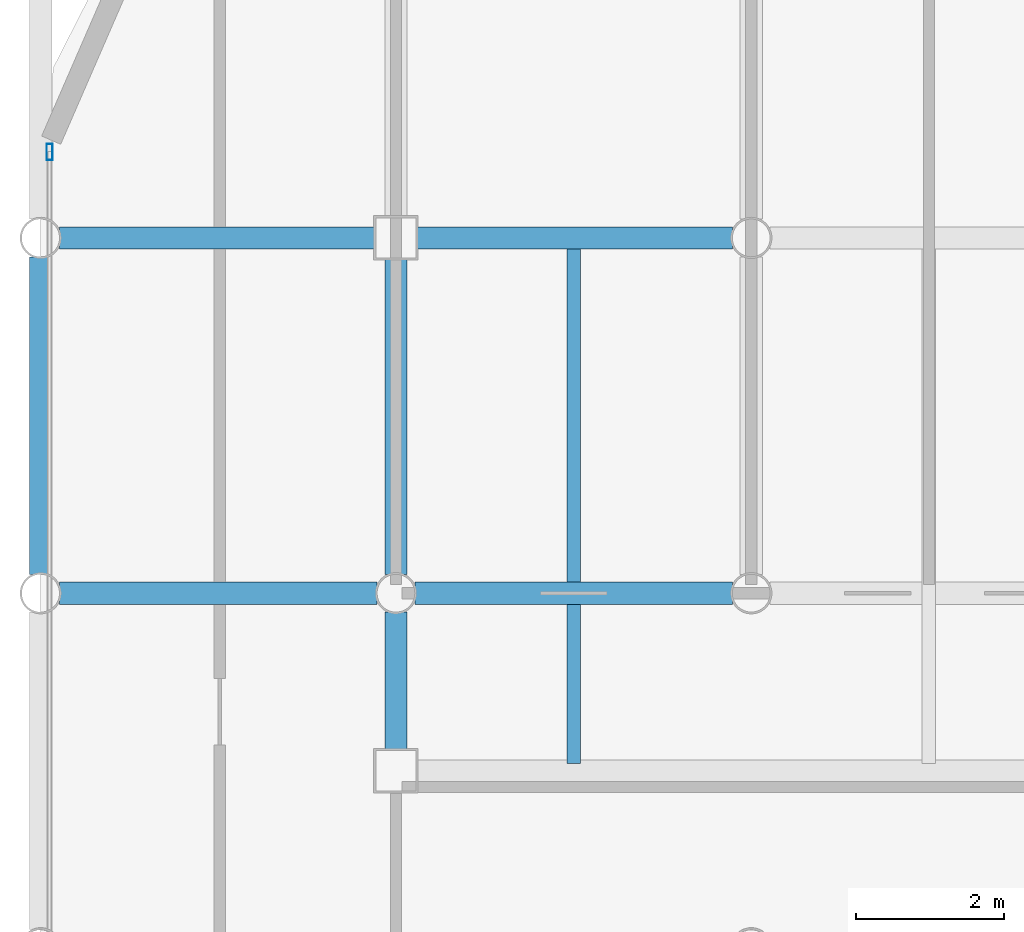
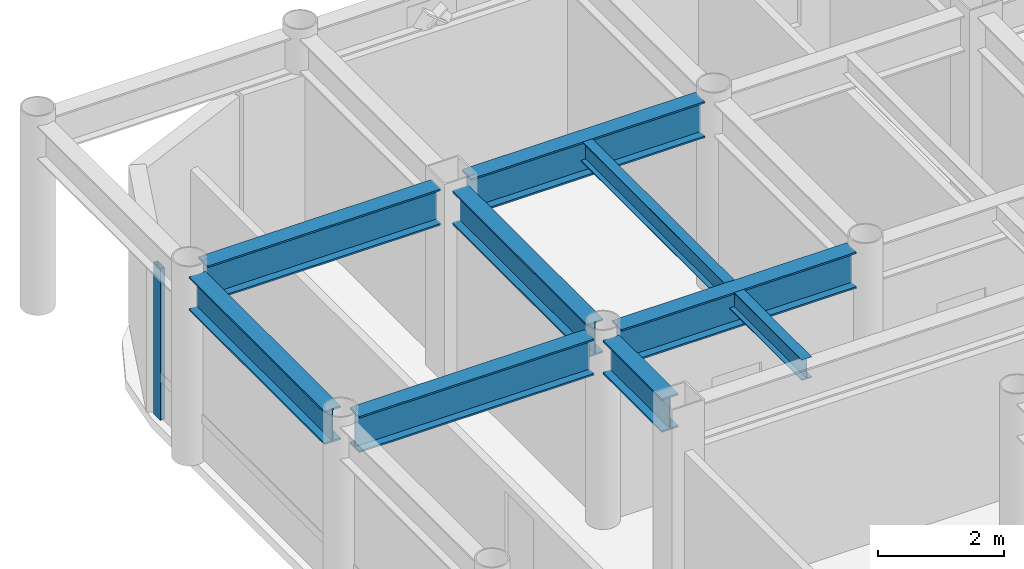
# One storey, part 11 of 21: 8 beams, 1 member, 1 element without a shape of its own.
"""IFC4 building model written with IfcOpenShell, lengths in metres."""

from ifc_helpers import new_model, si_unit, direction, frame, origin, origin_2d, place, context, subcontext, project, spatial, hollow_rectangle, i_section, extrude, material, layer, layer_set, material_profile, profile_set, type_object, element, aggregate, save


model = new_model("IFC4")

# Units and contexts
model_context = context("Model", 3, precision=1e-05, world=origin(), true_north=direction((0.0, 1.0)))
body_context = subcontext(model_context, "Body", "Model", "MODEL_VIEW")
ifc_project = project(units=[si_unit("LENGTHUNIT", "METRE"), si_unit("AREAUNIT", "SQUARE_METRE"), si_unit("VOLUMEUNIT", "CUBIC_METRE"), si_unit("PLANEANGLEUNIT", "RADIAN"), si_unit("MASSUNIT", "GRAM", prefix="KILO")], contexts=[model_context])

# Site, building, storey
site_placement = place(None, origin())
site = spatial("IfcSite", under=ifc_project, at=site_placement, CompositionType="ELEMENT")
building_placement = place(site_placement, origin())
building = spatial("IfcBuilding", under=site, at=building_placement, Name="Kallvorn Hotel Tower", CompositionType="ELEMENT")
storey_placement = place(building_placement, frame((0.0, 0.0, 210.75)))
storey = spatial("IfcBuildingStorey", under=building, at=storey_placement, Name="L52", CompositionType="ELEMENT", Elevation=210.75)

# Beams
ifc_material_1 = material(Name="Structural steel S355JR", Category="steel")
ifc_material_profile_1 = material_profile(ifc_material_1, i_section(OverallWidth=0.300048828125, OverallDepth=0.64990234375, WebThickness=0.01611328125, FlangeThickness=0.031005859375, at=origin_2d()), Name="HE 650 B")
ifc_profile_set_1 = profile_set([ifc_material_profile_1], Name="Structural steel S355JR")
beam_type_1 = type_object("IfcBeamType", Name="BM_HE650B", PredefinedType="BEAM", material=ifc_profile_set_1)
beam_1_placement = place(storey_placement, frame((-28.800048828125, 9.8544921875, 3.344970703125), z_axis=(0.0, 1.0, 0.0), x_axis=(-1.0, 0.0, 0.0)))
element("IfcBeam", 1, at=beam_1_placement, inside=storey, type_object=beam_type_1, Name="L53 Primary Y-Girder 79", PredefinedType="BEAM", context=body_context, shape_type="SweptSolid", body=[
    extrude(i_section(OverallWidth=0.300048828125, OverallDepth=0.64990234375, WebThickness=0.01611328125, FlangeThickness=0.031005859375, at=origin_2d()), origin(), (0.0, 0.0, 1.0), 4.291015625),
])
beam_2_placement = place(storey_placement, frame((-24.0, 7.47509765625, 3.344970703125), z_axis=(0.0, 1.0, 0.0), x_axis=(-1.0, 0.0, 0.0)))
element("IfcBeam", 2, at=beam_2_placement, inside=storey, type_object=beam_type_1, Name="L53 Primary Y-Girder 85", PredefinedType="BEAM", context=body_context, shape_type="SweptSolid", body=[
    extrude(i_section(OverallWidth=0.300048828125, OverallDepth=0.64990234375, WebThickness=0.01611328125, FlangeThickness=0.031005859375, at=origin_2d()), origin(), (0.0, 0.0, 1.0), 1.870361328125),
])
beam_3_placement = place(storey_placement, frame((-24.0, 9.8544921875, 3.344970703125), z_axis=(0.0, 1.0, 0.0), x_axis=(-1.0, 0.0, 0.0)))
element("IfcBeam", 3, at=beam_3_placement, inside=storey, type_object=beam_type_1, Name="L53 Primary Y-Girder 86", PredefinedType="BEAM", context=body_context, shape_type="SweptSolid", body=[
    extrude(i_section(OverallWidth=0.300048828125, OverallDepth=0.64990234375, WebThickness=0.01611328125, FlangeThickness=0.031005859375, at=origin_2d()), origin(), (0.0, 0.0, 1.0), 4.2705078125),
])
ifc_material_2 = material(Name="Structural steel S355JR", Category="steel")
ifc_material_profile_2 = material_profile(ifc_material_2, i_section(OverallWidth=0.300048828125, OverallDepth=0.699951171875, WebThickness=0.01708984375, FlangeThickness=0.031982421875, at=origin_2d()), Name="HE 700 B")
ifc_profile_set_2 = profile_set([ifc_material_profile_2], Name="Structural steel S355JR")
beam_type_2 = type_object("IfcBeamType", Name="BM_HE700B", PredefinedType="BEAM", material=ifc_profile_set_2)
for number, where, z_axis, x_axis, name in (
    (4, (-28.54541015625, 9.60009765625, 3.320068359375), (1.0, 0.0, 0.0), (0.0, 1.0, 0.0), "L53 Primary X-Girder 42"),
    (5, (-23.74560546875, 9.60009765625, 3.320068359375), (1.0, 0.0, 0.0), (0.0, 1.0, 0.0), "L53 Primary X-Girder 43"),
):
    element("IfcBeam", number, at=place(storey_placement, frame(where, z_axis=z_axis, x_axis=x_axis)), inside=storey, type_object=beam_type_2, Name=name, PredefinedType="BEAM", context=body_context, shape_type="SweptSolid", body=[
        extrude(i_section(OverallWidth=0.300048828125, OverallDepth=0.699951171875, WebThickness=0.01708984375, FlangeThickness=0.031982421875, at=origin_2d()), origin(), (0.0, 0.0, 1.0), 4.291015625),
    ])
for number, where, z_axis, x_axis, name in (
    (6, (-28.54541015625, 14.39990234375, 3.320068359375), (1.0, 0.0, 0.0), (0.0, 1.0, 0.0), "L53 Primary X-Girder 51"),
    (7, (-23.72509765625, 14.39990234375, 3.320068359375), (1.0, 0.0, 0.0), (0.0, 1.0, 0.0), "L53 Primary X-Girder 52"),
):
    element("IfcBeam", number, at=place(storey_placement, frame(where, z_axis=z_axis, x_axis=x_axis)), inside=storey, type_object=beam_type_2, Name=name, PredefinedType="BEAM", context=body_context, shape_type="SweptSolid", body=[
        extrude(i_section(OverallWidth=0.300048828125, OverallDepth=0.699951171875, WebThickness=0.01708984375, FlangeThickness=0.031982421875, at=origin_2d()), origin(), (0.0, 0.0, 1.0), 4.2705078125),
    ])
ifc_material_3 = material(Name="Structural steel S355JR", Category="steel")
ifc_material_profile_3 = material_profile(ifc_material_3, i_section(OverallWidth=0.179931640625, OverallDepth=0.39990234375, WebThickness=0.008544921875, FlangeThickness=0.013427734375, at=origin_2d()), Name="IPE 400")
ifc_profile_set_3 = profile_set([ifc_material_profile_3], Name="Structural steel S355JR")
beam_type_3 = type_object("IfcBeamType", Name="BM_IPE400", PredefinedType="JOIST", material=ifc_profile_set_3)
beam_4_placement = place(storey_placement, frame((-21.60009765625, 7.300048828125, 3.469970703125), z_axis=(0.0, 1.0, 0.0), x_axis=(-1.0, 0.0, 0.0)))
element("IfcBeam", 8, at=beam_4_placement, inside=storey, type_object=beam_type_3, Name="L53 Secondary Composite Joist 193", PredefinedType="JOIST", context=body_context, shape_type="SweptSolid", body=[
    extrude(i_section(OverallWidth=0.179931640625, OverallDepth=0.39990234375, WebThickness=0.008544921875, FlangeThickness=0.013427734375, at=origin_2d()), origin(), (0.0, 0.0, 1.0), 7.0),
])

# Curtain wall, member
ifc_material_4 = material(Name="Thermally broken black-anodised aluminium AA 6063-T6", Category="aluminium")
ifc_layer = layer(ifc_material_4, 0.22998046875)
ifc_layer_set = layer_set([ifc_layer], Name="CW_SYS_5_HOTEL_HIGH")
curtain_wall_type = type_object("IfcCurtainWallType", Name="CW_SYS_5_HOTEL_HIGH", PredefinedType="USERDEFINED", material=ifc_layer_set)
curtain_wall_placement = place(storey_placement, origin())
curtain_wall = element("IfcCurtainWall", 9, at=curtain_wall_placement, inside=storey, type_object=curtain_wall_type, Name="L52 Dark-Glass Curtain Wall CW-L52-WN", ObjectType="UNITISED CURTAIN WALL", PredefinedType="USERDEFINED")
ifc_material_5 = material(Name="Thermally broken black-anodised aluminium AA 6063-T6", Category="aluminium")
ifc_material_profile_4 = material_profile(ifc_material_5, hollow_rectangle(XDim=0.080078125, YDim=0.219970703125, WallThickness=0.0048828125, at=origin_2d()), Name="MUL 220x80")
ifc_profile_set_4 = profile_set([ifc_material_profile_4], Name="Thermally broken black-anodised aluminium AA 6063-T6")
member_type = type_object("IfcMemberType", Name="CW_MULLION_220x80", PredefinedType="MULLION", material=ifc_profile_set_4)
member_placement = place(storey_placement, frame((-28.679931640625, 15.56005859375, 0.02001953125), z_axis=(0.0, 0.0, 1.0), x_axis=(1.0, 0.0, 0.0)))
member = element("IfcMember", 10, at=member_placement, type_object=member_type, Name="CW-L52-WN Mullion 01", PredefinedType="MULLION", context=body_context, shape_type="SweptSolid", body=[
    extrude(hollow_rectangle(XDim=0.080078125, YDim=0.219970703125, WallThickness=0.0048828125, at=origin_2d()), origin(), (0.0, 0.0, 1.0), 2.929931640625),
])
aggregate(curtain_wall, [member])

save(model, "model.ifc")
